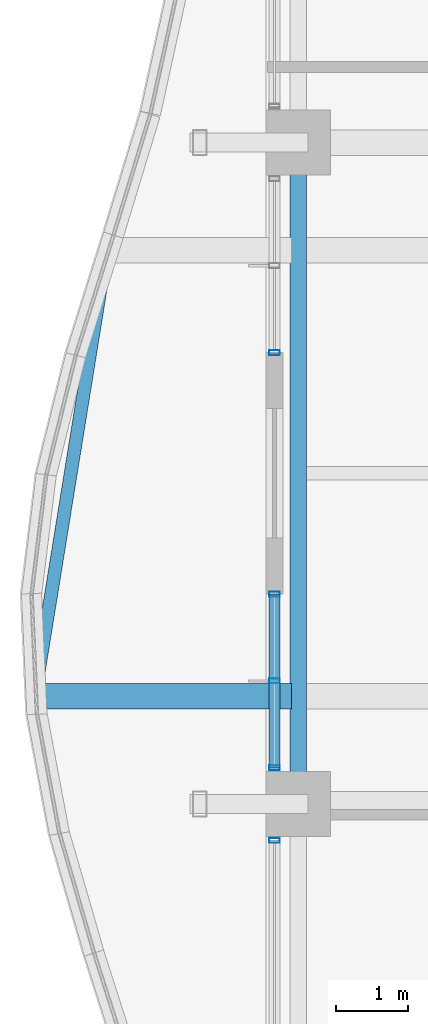
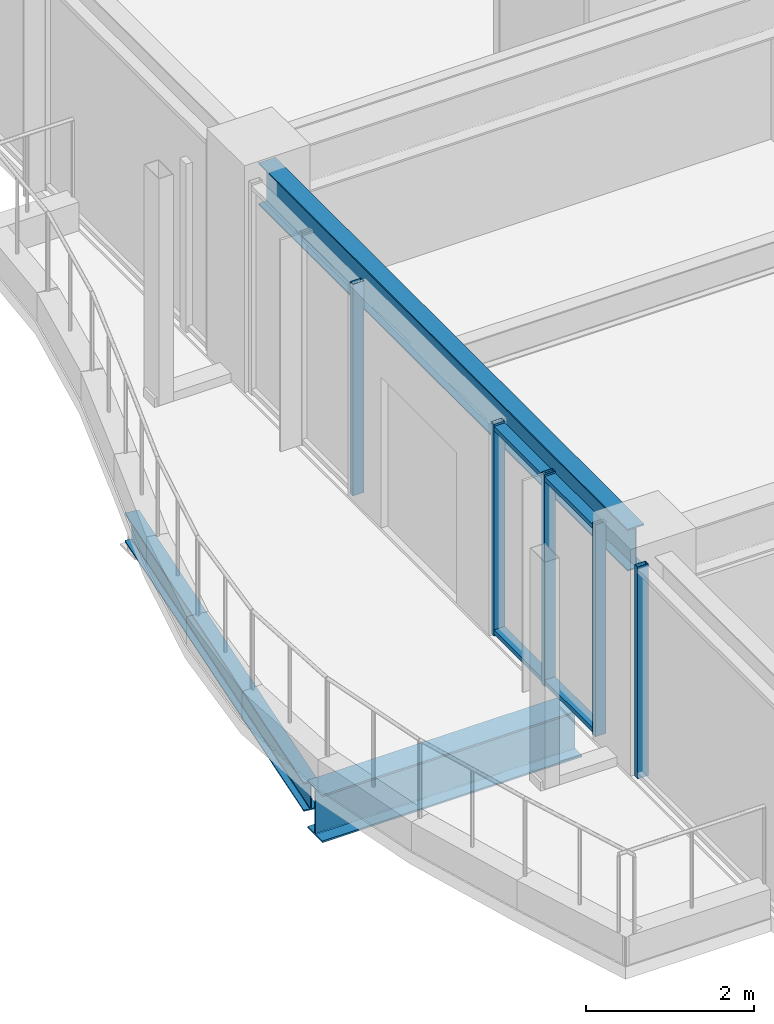
# One storey, part 6 of 35: 7 members, 3 beams, 3 elements without a shape of their own.
"""IFC4 building model written with IfcOpenShell, lengths in metres."""

from ifc_helpers import new_model, si_unit, direction, frame, origin, origin_2d, place, context, subcontext, project, spatial, hollow_rectangle, i_section, extrude, material, material_profile, profile_set, type_object, element, aggregate, save


model = new_model("IFC4")

# Units and contexts
model_context = context("Model", 3, precision=1e-05, world=origin(), true_north=direction((0.0, 1.0)))
body_context = subcontext(model_context, "Body", "Model", "MODEL_VIEW")
ifc_project = project(units=[si_unit("LENGTHUNIT", "METRE"), si_unit("AREAUNIT", "SQUARE_METRE"), si_unit("VOLUMEUNIT", "CUBIC_METRE"), si_unit("PLANEANGLEUNIT", "RADIAN"), si_unit("MASSUNIT", "GRAM", prefix="KILO")], contexts=[model_context])

# Site, building, storey
site_placement = place(None, origin())
site = spatial("IfcSite", under=ifc_project, at=site_placement, CompositionType="ELEMENT")
building_placement = place(site_placement, origin())
building = spatial("IfcBuilding", under=site, at=building_placement, Name="Kolvaren Belvedere", CompositionType="ELEMENT")
storey_placement = place(building_placement, frame((0.0, 0.0, 176.699951171875)))
storey = spatial("IfcBuildingStorey", under=building, at=storey_placement, Name="L51", CompositionType="ELEMENT", Elevation=176.699951171875)

# Beams
ifc_material_1 = material(Name="Structural steel ASTM A992 Grade 50", Category="steel")
ifc_material_profile_1 = material_profile(ifc_material_1, i_section(OverallWidth=0.35498046875, OverallDepth=0.696044921875, WebThickness=0.015380859375, FlangeThickness=0.02490234375, FilletRadius=0.02197265625, at=origin_2d()), Name="W27X146")
ifc_profile_set_1 = profile_set([ifc_material_profile_1], Name="Structural steel ASTM A992 Grade 50")
beam_type_1 = type_object("IfcBeamType", Name="BM-CANT-BAL", PredefinedType="BEAM", material=ifc_profile_set_1)
beam_1_placement = place(storey_placement, frame((-20.044921875, -3.10009765625, -0.56787109375), z_axis=(-1.0, 0.0, 0.0), x_axis=(0.0, -1.0, 0.0)))
element("IfcBeam", 1, at=beam_1_placement, inside=storey, type_object=beam_type_1, Name="L51 Planted Balcony Cantilever BAL-W-1", PredefinedType="BEAM", context=body_context, shape_type="SweptSolid", body=[
    extrude(i_section(OverallWidth=0.35498046875, OverallDepth=0.696044921875, WebThickness=0.015380859375, FlangeThickness=0.02490234375, FilletRadius=0.02197265625, at=origin_2d()), origin(), (0.0, 0.0, 1.0), 3.571044921875),
])
ifc_material_2 = material(Name="Structural steel ASTM A992 Grade 50", Category="steel")
ifc_material_profile_2 = material_profile(ifc_material_2, i_section(OverallWidth=0.180908203125, OverallDepth=0.4169921875, WebThickness=0.010986328125, FlangeThickness=0.018310546875, FilletRadius=0.013916015625, at=origin_2d()), Name="W16X57")
ifc_profile_set_2 = profile_set([ifc_material_profile_2], Name="Structural steel ASTM A992 Grade 50")
beam_type_2 = type_object("IfcBeamType", Name="BM-EDGE-W16X57", PredefinedType="BEAM", material=ifc_profile_set_2)
beam_2_placement = place(storey_placement, frame((-23.593505859375, -2.9619140625, -0.428466796875), z_axis=(0.159567567211, 0.987187009383, 0.0), x_axis=(-0.987187009383, 0.159567567211, 0.0)))
element("IfcBeam", 2, at=beam_2_placement, inside=storey, type_object=beam_type_2, Name="L51 Balcony Tip Header Beam BAL-W", PredefinedType="BEAM", context=body_context, shape_type="SweptSolid", body=[
    extrude(i_section(OverallWidth=0.180908203125, OverallDepth=0.4169921875, WebThickness=0.010986328125, FlangeThickness=0.018310546875, FilletRadius=0.013916015625, at=origin_2d()), origin(), (0.0, 0.0, 1.0), 6.000732421875),
])
ifc_material_3 = material(Name="Structural steel ASTM A992 Grade 50", Category="steel")
ifc_material_profile_3 = material_profile(ifc_material_3, i_section(OverallWidth=0.22900390625, OverallDepth=0.612060546875, WebThickness=0.011962890625, FlangeThickness=0.01953125, FilletRadius=0.01806640625, at=origin_2d()), Name="W24X84")
ifc_profile_set_3 = profile_set([ifc_material_profile_3], Name="Structural steel ASTM A992 Grade 50")
beam_type_3 = type_object("IfcBeamType", Name="BM-SPAN-W24X84", PredefinedType="SPANDREL", material=ifc_profile_set_3)
beam_3_placement = place(storey_placement, frame((-19.949951171875, 4.3974609375, 2.774169921875), z_axis=(0.0, -1.0, 0.0), x_axis=(1.0, 0.0, 0.0)))
element("IfcBeam", 3, at=beam_3_placement, inside=storey, type_object=beam_type_3, Name="L51 Perimeter Spandrel W3-W2", PredefinedType="SPANDREL", context=body_context, shape_type="SweptSolid", body=[
    extrude(i_section(OverallWidth=0.22900390625, OverallDepth=0.612060546875, WebThickness=0.011962890625, FlangeThickness=0.01953125, FilletRadius=0.01806640625, at=origin_2d()), origin(), (0.0, 0.0, 1.0), 8.794921875),
])

# Curtain wall, member
ifc_material_4 = material(Name="Anodised pale-metal aluminium AA 6063-T6", Category="aluminium")
curtain_wall_type = type_object("IfcCurtainWallType", Name="CW-Z5-HIGH", PredefinedType="NOTDEFINED", material=ifc_material_4)
curtain_wall_1_placement = place(storey_placement, origin())
curtain_wall_1 = element("IfcCurtainWall", 4, at=curtain_wall_1_placement, inside=storey, type_object=curtain_wall_type, Name="L51 Unitised Curtain Wall FCW-L51-W1-B1", PredefinedType="NOTDEFINED")
ifc_material_5 = material(Name="Anodised pale-metal aluminium AA 6063-T6", Category="aluminium")
ifc_material_profile_4 = material_profile(ifc_material_5, hollow_rectangle(XDim=0.070068359375, YDim=0.14990234375, WallThickness=0.004150390625, at=origin_2d()), Name="ALU-MUL-150X70")
ifc_profile_set_4 = profile_set([ifc_material_profile_4], Name="Anodised pale-metal aluminium AA 6063-T6")
member_type_1 = type_object("IfcMemberType", Name="CW-MUL-150", PredefinedType="MULLION", material=ifc_profile_set_4)
member_1_placement = place(storey_placement, frame((-20.280029296875, -5.10498046875, 0.0), z_axis=(0.0, 0.0, 1.0), x_axis=(0.0, 1.0, 0.0)))
member_1 = element("IfcMember", 5, at=member_1_placement, type_object=member_type_1, Name="FCW-L51-W1-B1 Unitised Mullion 3", PredefinedType="MULLION", context=body_context, shape_type="SweptSolid", body=[
    extrude(hollow_rectangle(XDim=0.070068359375, YDim=0.14990234375, WallThickness=0.004150390625, at=origin_2d()), origin(), (0.0, 0.0, 1.0), 3.080078125),
])
aggregate(curtain_wall_1, [member_1])

# Curtain wall, members
curtain_wall_2_placement = place(storey_placement, origin())
curtain_wall_2 = element("IfcCurtainWall", 6, at=curtain_wall_2_placement, inside=storey, type_object=curtain_wall_type, Name="L51 Unitised Curtain Wall FCW-L51-W1-B2", PredefinedType="NOTDEFINED")
member_2_placement = place(storey_placement, frame((-20.280029296875, -4.094970703125, 0.0), z_axis=(0.0, 0.0, 1.0), x_axis=(0.0, 1.0, 0.0)))
member_2 = element("IfcMember", 7, at=member_2_placement, type_object=member_type_1, Name="FCW-L51-W1-B2 Unitised Mullion 1", PredefinedType="MULLION", context=body_context, shape_type="SweptSolid", body=[
    extrude(hollow_rectangle(XDim=0.070068359375, YDim=0.14990234375, WallThickness=0.004150390625, at=origin_2d()), origin(), (0.0, 0.0, 1.0), 3.080078125),
])
member_3_placement = place(storey_placement, frame((-20.280029296875, -2.887451171875, 0.0), z_axis=(0.0, 0.0, 1.0), x_axis=(0.0, 1.0, 0.0)))
member_3 = element("IfcMember", 8, at=member_3_placement, type_object=member_type_1, Name="FCW-L51-W1-B2 Unitised Mullion 2", PredefinedType="MULLION", context=body_context, shape_type="SweptSolid", body=[
    extrude(hollow_rectangle(XDim=0.070068359375, YDim=0.14990234375, WallThickness=0.004150390625, at=origin_2d()), origin(), (0.0, 0.0, 1.0), 3.080078125),
])
member_4_placement = place(storey_placement, frame((-20.280029296875, -1.679931640625, 0.0), z_axis=(0.0, 0.0, 1.0), x_axis=(0.0, 1.0, 0.0)))
member_4 = element("IfcMember", 9, at=member_4_placement, type_object=member_type_1, Name="FCW-L51-W1-B2 Unitised Mullion 3", PredefinedType="MULLION", context=body_context, shape_type="SweptSolid", body=[
    extrude(hollow_rectangle(XDim=0.070068359375, YDim=0.14990234375, WallThickness=0.004150390625, at=origin_2d()), origin(), (0.0, 0.0, 1.0), 3.080078125),
])

# Curtain wall, member
curtain_wall_3_placement = place(storey_placement, origin())
curtain_wall_3 = element("IfcCurtainWall", 10, at=curtain_wall_3_placement, inside=storey, type_object=curtain_wall_type, Name="L51 Unitised Curtain Wall FCW-L51-W2-B1", PredefinedType="NOTDEFINED")
member_5_placement = place(storey_placement, frame((-20.280029296875, 1.679931640625, 0.0), z_axis=(0.0, 0.0, 1.0), x_axis=(0.0, 1.0, 0.0)))
member_5 = element("IfcMember", 11, at=member_5_placement, type_object=member_type_1, Name="FCW-L51-W2-B1 Unitised Mullion 1", PredefinedType="MULLION", context=body_context, shape_type="SweptSolid", body=[
    extrude(hollow_rectangle(XDim=0.070068359375, YDim=0.14990234375, WallThickness=0.004150390625, at=origin_2d()), origin(), (0.0, 0.0, 1.0), 3.080078125),
])
aggregate(curtain_wall_3, [member_5])

# Member
ifc_material_6 = material(Name="Anodised pale-metal aluminium AA 6063-T6", Category="aluminium")
ifc_material_profile_5 = material_profile(ifc_material_6, hollow_rectangle(XDim=0.06494140625, YDim=0.14990234375, WallThickness=0.00390625, at=origin_2d()), Name="ALU-TRN-150X65")
ifc_profile_set_5 = profile_set([ifc_material_profile_5], Name="Anodised pale-metal aluminium AA 6063-T6")
member_type_2 = type_object("IfcMemberType", Name="CW-TRN-150", PredefinedType="USERDEFINED", material=ifc_profile_set_5)
member_6_placement = place(storey_placement, frame((-20.280029296875, -4.094970703125, 0.06005859375), z_axis=(0.0, 1.0, 0.0), x_axis=(0.0, 0.0, 1.0)))
member_6 = element("IfcMember", 12, at=member_6_placement, type_object=member_type_2, Name="FCW-L51-W1-B2 Sill Transom", ObjectType="TRANSOM", PredefinedType="USERDEFINED", context=body_context, shape_type="SweptSolid", body=[
    extrude(hollow_rectangle(XDim=0.06494140625, YDim=0.14990234375, WallThickness=0.00390625, at=origin_2d()), origin(), (0.0, 0.0, 1.0), 2.4150390625),
])

member_7_placement = place(storey_placement, frame((-20.280029296875, -4.094970703125, 3.02001953125), z_axis=(0.0, 1.0, 0.0), x_axis=(0.0, 0.0, 1.0)))
member_7 = element("IfcMember", 13, at=member_7_placement, type_object=member_type_2, Name="FCW-L51-W1-B2 Head Transom", ObjectType="TRANSOM", PredefinedType="USERDEFINED", context=body_context, shape_type="SweptSolid", body=[
    extrude(hollow_rectangle(XDim=0.06494140625, YDim=0.14990234375, WallThickness=0.00390625, at=origin_2d()), origin(), (0.0, 0.0, 1.0), 2.4150390625),
])

aggregate(curtain_wall_2, [member_2, member_3, member_4, member_6, member_7])

save(model, "model.ifc")
